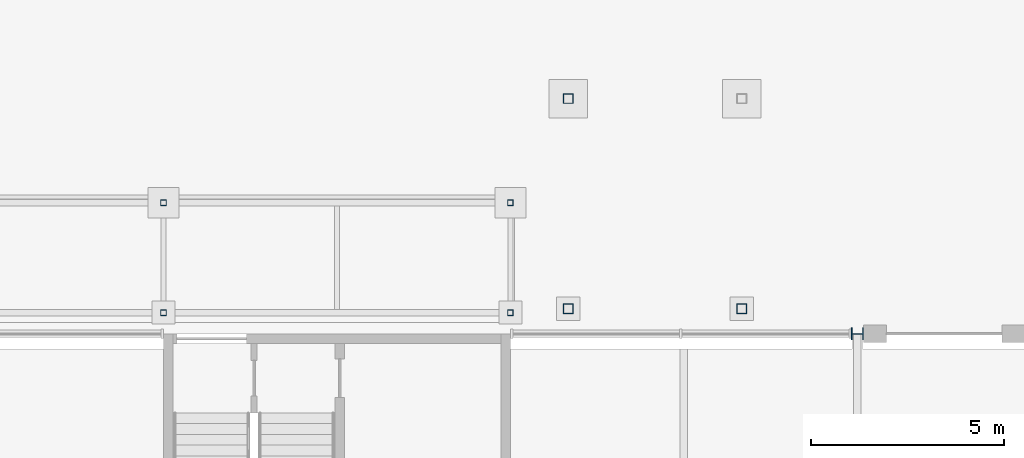
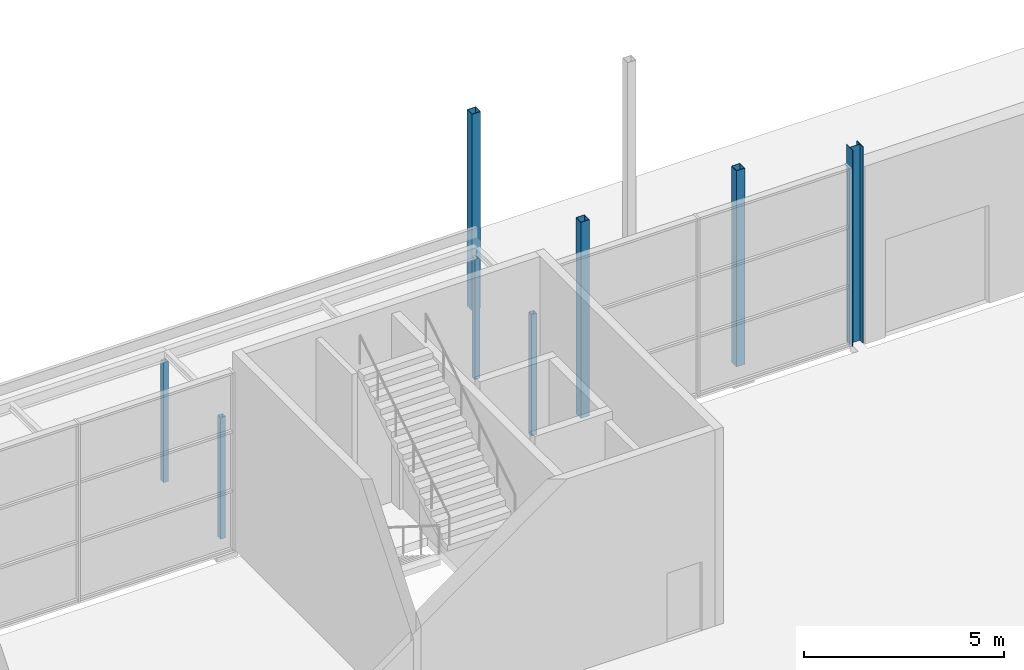
# One storey, part 22 of 97: 8 columns.
"""IFC4 building model written with IfcOpenShell, lengths in metres."""

from ifc_helpers import new_model, si_unit, direction, frame, origin, origin_2d, place, context, subcontext, project, spatial, hollow_rectangle, i_section, extrude, material, material_profile, profile_set, type_object, element, save


model = new_model("IFC4")

# Units and contexts
model_context = context("Model", 3, precision=1e-05, world=origin(), true_north=direction((0.0, 1.0)))
body_context = subcontext(model_context, "Body", "Model", "MODEL_VIEW")
ifc_project = project(units=[si_unit("LENGTHUNIT", "METRE"), si_unit("AREAUNIT", "SQUARE_METRE"), si_unit("VOLUMEUNIT", "CUBIC_METRE"), si_unit("PLANEANGLEUNIT", "RADIAN"), si_unit("MASSUNIT", "GRAM", prefix="KILO")], contexts=[model_context])

# Site, building, storey
site_placement = place(None, origin())
site = spatial("IfcSite", under=ifc_project, at=site_placement, CompositionType="ELEMENT")
building_placement = place(site_placement, origin())
building = spatial("IfcBuilding", under=site, at=building_placement, Name="Corbel Yard City Hall", CompositionType="ELEMENT")
storey_placement = place(building_placement, origin())
storey = spatial("IfcBuildingStorey", under=building, at=storey_placement, Name="L00", CompositionType="ELEMENT", Elevation=0.0)

# Columns
ifc_material_1 = material(Name="Steel Grade C450L0", Category="steel")
ifc_material_profile_1 = material_profile(ifc_material_1, hollow_rectangle(XDim=0.14990234375, YDim=0.14990234375, WallThickness=0.009033203125, at=origin_2d()), Name="150x150x9.0SHS")
ifc_profile_set_1 = profile_set([ifc_material_profile_1], Name="Steel Grade C450L0")
column_type_1 = type_object("IfcColumnType", Name="Awning Column 150x150x9.0SHS", PredefinedType="COLUMN", material=ifc_profile_set_1)
for number, where, z_axis, x_axis, name in (
    (1, (63.0, 117.550048828125, 0.0), (0.0, 0.0, 1.0), (1.0, 0.0, 0.0), "Awning Column B07"),
    (2, (72.0, 117.550048828125, 0.0), (0.0, 0.0, 1.0), (1.0, 0.0, 0.0), "Awning Column B08"),
):
    element("IfcColumn", number, at=place(storey_placement, frame(where, z_axis=z_axis, x_axis=x_axis)), inside=storey, type_object=column_type_1, Name=name, PredefinedType="COLUMN", context=body_context, shape_type="SweptSolid", body=[
        extrude(hollow_rectangle(XDim=0.14990234375, YDim=0.14990234375, WallThickness=0.009033203125, at=origin_2d()), origin(), (0.0, 0.0, 1.0), 3.71484375),
    ])
for number, where, z_axis, x_axis, name in (
    (3, (63.0, 120.39990234375, 0.0), (0.0, 0.0, 1.0), (1.0, 0.0, 0.0), "Awning Column F07"),
    (4, (72.0, 120.39990234375, 0.0), (0.0, 0.0, 1.0), (1.0, 0.0, 0.0), "Awning Column F08"),
):
    element("IfcColumn", number, at=place(storey_placement, frame(where, z_axis=z_axis, x_axis=x_axis)), inside=storey, type_object=column_type_1, Name=name, PredefinedType="COLUMN", context=body_context, shape_type="SweptSolid", body=[
        extrude(hollow_rectangle(XDim=0.14990234375, YDim=0.14990234375, WallThickness=0.009033203125, at=origin_2d()), origin(), (0.0, 0.0, 1.0), 3.67919921875),
    ])
ifc_material_2 = material(Name="Steel Grade 300 (300 MPa yield)", Category="steel")
ifc_material_profile_2 = material_profile(ifc_material_2, i_section(OverallWidth=0.306884765625, OverallDepth=0.31494140625, WebThickness=0.011962890625, FlangeThickness=0.018798828125, at=origin_2d()), Name="310UC118")
ifc_profile_set_2 = profile_set([ifc_material_profile_2], Name="Steel Grade 300 (300 MPa yield)")
column_type_2 = type_object("IfcColumnType", Name="Column 310UC118", PredefinedType="COLUMN", material=ifc_profile_set_2)
column_placement = place(storey_placement, frame((81.0, 117.0, 0.0), z_axis=(0.0, 0.0, 1.0), x_axis=(0.0, 1.0, 0.0)))
element("IfcColumn", 5, at=column_placement, inside=storey, type_object=column_type_2, Name="Column 310UC118 N/10 L00", PredefinedType="COLUMN", context=body_context, shape_type="SweptSolid", body=[
    extrude(i_section(OverallWidth=0.306884765625, OverallDepth=0.31494140625, WebThickness=0.011962890625, FlangeThickness=0.018798828125, at=origin_2d()), origin(), (0.0, 0.0, 1.0), 6.0),
])
ifc_material_profile_3 = material_profile(ifc_material_1, hollow_rectangle(XDim=0.25, YDim=0.25, WallThickness=0.012451171875, at=origin_2d()), Name="250x250x12.5SHS")
ifc_profile_set_3 = profile_set([ifc_material_profile_3], Name="Steel Grade C450L0")
column_type_3 = type_object("IfcColumnType", Name="Portico Column 250x250x12.5SHS", PredefinedType="COLUMN", material=ifc_profile_set_3)
for number, where, z_axis, x_axis, name in (
    (6, (73.5, 117.64990234375, 0.0), (0.0, 0.0, 1.0), (1.0, 0.0, 0.0), "Portico Column B01"),
    (7, (78.0, 117.64990234375, 0.0), (0.0, 0.0, 1.0), (1.0, 0.0, 0.0), "Portico Column B02"),
    (8, (73.5, 123.10009765625, 0.0), (0.0, 0.0, 1.0), (1.0, 0.0, 0.0), "Portico Column F01"),
):
    element("IfcColumn", number, at=place(storey_placement, frame(where, z_axis=z_axis, x_axis=x_axis)), inside=storey, type_object=column_type_3, Name=name, PredefinedType="COLUMN", context=body_context, shape_type="SweptSolid", body=[
        extrude(hollow_rectangle(XDim=0.25, YDim=0.25, WallThickness=0.012451171875, at=origin_2d()), origin(), (0.0, 0.0, 1.0), 6.0),
    ])

save(model, "model.ifc")
